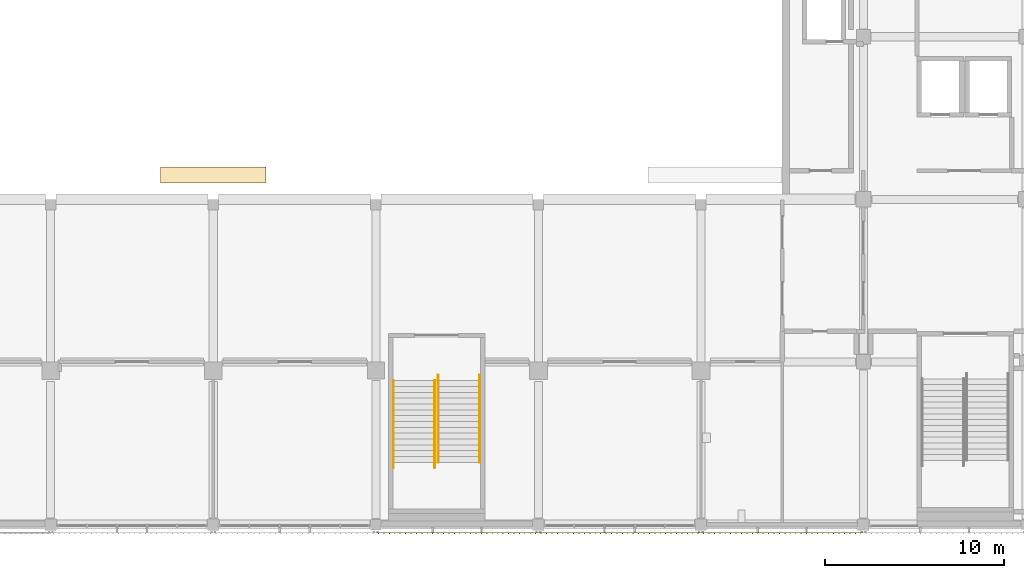
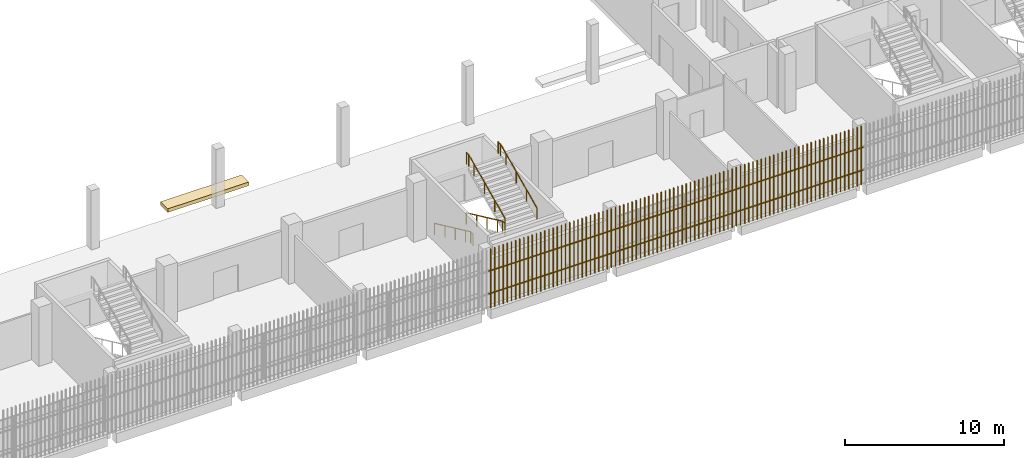
# One storey, part 111 of 126: 4 railings, 3 shading devices, 1 covering.
"""IFC4 building model written with IfcOpenShell, lengths in metres."""

from ifc_helpers import new_model, si_unit, direction, frame, origin, origin_2d, place, context, subcontext, project, spatial, polyline, rectangle, circle, outline, extrude, material, layer, layer_set, type_object, element, save


model = new_model("IFC4")

# Units and contexts
model_context = context("Model", 3, precision=1e-05, world=origin(), true_north=direction((0.0, 1.0)))
body_context = subcontext(model_context, "Body", "Model", "MODEL_VIEW")
ifc_project = project(units=[si_unit("LENGTHUNIT", "METRE"), si_unit("AREAUNIT", "SQUARE_METRE"), si_unit("VOLUMEUNIT", "CUBIC_METRE"), si_unit("PLANEANGLEUNIT", "RADIAN"), si_unit("MASSUNIT", "GRAM", prefix="KILO")], contexts=[model_context])

# Site, building, storey
site_placement = place(None, origin())
site = spatial("IfcSite", under=ifc_project, at=site_placement, CompositionType="ELEMENT")
building_placement = place(site_placement, origin())
building = spatial("IfcBuilding", under=site, at=building_placement, Name="Shirokan Park Arena", CompositionType="ELEMENT")
storey_placement = place(building_placement, frame((0.0, 0.0, 6.3701171875)))
storey = spatial("IfcBuildingStorey", under=building, at=storey_placement, Name="L01", CompositionType="ELEMENT", Elevation=6.3701171875)

# Covering
ifc_material_1 = material(Name="Concrete screed on the tier", Category="concrete")
ifc_layer = layer(ifc_material_1, 0.280029296875)
ifc_layer_set = layer_set([ifc_layer], Name="Concrete screed on the tier 280 mm")
covering_type = type_object("IfcCoveringType", Name="Platform floor infill 280", PredefinedType="FLOORING", material=ifc_layer_set)
covering_placement = place(storey_placement, frame((0.0, 0.0, -0.280029296875)))
element("IfcCovering", 1, at=covering_placement, inside=storey, type_object=covering_type, Name="Wheelchair Platform Floor S2 Lower Tier", PredefinedType="FLOORING", context=body_context, shape_type="SweptSolid", body=[
    extrude(outline(polyline([(75.75, 19.110107421875), (75.75, 20.02001953125), (69.85009765625, 20.02001953125), (69.85009765625, 19.110107421875), (75.75, 19.110107421875)])), origin(), (0.0, 0.0, 1.0), 0.280029296875),
])

# Railings
ifc_material_2 = material(Name="Stainless steel", Category="steel")
railing_type = type_object("IfcRailingType", Name="Stair handrail 900", PredefinedType="HANDRAIL", material=ifc_material_2)
railing_1_placement = place(storey_placement, frame((82.889892578125, 8.050048828125, 0.151611328125)))
element("IfcRailing", 2, at=railing_1_placement, inside=storey, type_object=railing_type, Name="Handrail Entrance Stair E1.2 L01 to L02", PredefinedType="HANDRAIL", context=body_context, shape_type="SweptSolid", body=[
    extrude(circle(Radius=0.02392578125, at=origin_2d()), frame((0.0, 0.0, 0.8759765625), z_axis=(0.0, -0.907029769225, 0.421066500378), x_axis=(1.0, 0.0, 0.0)), (0.0, 0.0, 1.0), 1.44091796875),
    extrude(circle(Radius=0.02392578125, at=origin_2d()), frame((0.0, -1.306884765625, 1.482421875), z_axis=(0.0, -0.907029769225, 0.421066500378), x_axis=(1.0, 0.0, 0.0)), (0.0, 0.0, 1.0), 1.44091796875),
    extrude(circle(Radius=0.02392578125, at=origin_2d()), frame((0.0, -2.61376953125, 2.08935546875), z_axis=(0.0, -0.907064445915, 0.420991794405), x_axis=(1.0, 0.0, 0.0)), (0.0, 0.0, 1.0), 1.4404296875),
    extrude(circle(Radius=0.02392578125, at=origin_2d()), frame((0.0, -3.92041015625, 2.69580078125), z_axis=(0.0, -0.906934982928, 0.421270621741), x_axis=(1.0, 0.0, 0.0)), (0.0, 0.0, 1.0), 0.720458984375),
    extrude(circle(Radius=0.02392578125, at=origin_2d()), frame((0.0, -4.57373046875, 2.9990234375), z_axis=(0.0, -1.0, 0.0), x_axis=(1.0, 0.0, 0.0)), (0.0, 0.0, 1.0), 0.300048828125),
    extrude(circle(Radius=0.02099609375, at=origin_2d()), origin(), (0.0, 0.0, 1.0), 0.851806640625),
    extrude(circle(Radius=0.02099609375, at=origin_2d()), frame((0.0, -1.306884765625, 0.606689453125)), (0.0, 0.0, 1.0), 0.851806640625),
    extrude(circle(Radius=0.02099609375, at=origin_2d()), frame((0.0, -2.61376953125, 1.21337890625)), (0.0, 0.0, 1.0), 0.851806640625),
    extrude(circle(Radius=0.02099609375, at=origin_2d()), frame((0.0, -3.92041015625, 1.81982421875)), (0.0, 0.0, 1.0), 0.851806640625),
    extrude(circle(Radius=0.02099609375, at=origin_2d()), frame((0.0, -4.57373046875, 2.123291015625)), (0.0, 0.0, 1.0), 0.851806640625),
    extrude(circle(Radius=0.02099609375, at=origin_2d()), frame((0.0, -4.873779296875, 2.123291015625)), (0.0, 0.0, 1.0), 0.851806640625),
])
railing_2_placement = place(storey_placement, frame((85.2099609375, 8.050048828125, 0.151611328125)))
element("IfcRailing", 3, at=railing_2_placement, inside=storey, type_object=railing_type, Name="Handrail Entrance Stair E1.2 L01 to L02", PredefinedType="HANDRAIL", context=body_context, shape_type="SweptSolid", body=[
    extrude(circle(Radius=0.02392578125, at=origin_2d()), frame((0.0, 0.0, 0.8759765625), z_axis=(0.0, -0.907029769225, 0.421066500378), x_axis=(1.0, 0.0, 0.0)), (0.0, 0.0, 1.0), 1.44091796875),
    extrude(circle(Radius=0.02392578125, at=origin_2d()), frame((0.0, -1.306884765625, 1.482421875), z_axis=(0.0, -0.907029769225, 0.421066500378), x_axis=(1.0, 0.0, 0.0)), (0.0, 0.0, 1.0), 1.44091796875),
    extrude(circle(Radius=0.02392578125, at=origin_2d()), frame((0.0, -2.61376953125, 2.08935546875), z_axis=(0.0, -0.907064445915, 0.420991794405), x_axis=(1.0, 0.0, 0.0)), (0.0, 0.0, 1.0), 1.4404296875),
    extrude(circle(Radius=0.02392578125, at=origin_2d()), frame((0.0, -3.92041015625, 2.69580078125), z_axis=(0.0, -0.906934982928, 0.421270621741), x_axis=(1.0, 0.0, 0.0)), (0.0, 0.0, 1.0), 0.720458984375),
    extrude(circle(Radius=0.02392578125, at=origin_2d()), frame((0.0, -4.57373046875, 2.9990234375), z_axis=(0.0, -1.0, 0.0), x_axis=(1.0, 0.0, 0.0)), (0.0, 0.0, 1.0), 0.300048828125),
    extrude(circle(Radius=0.02099609375, at=origin_2d()), origin(), (0.0, 0.0, 1.0), 0.851806640625),
    extrude(circle(Radius=0.02099609375, at=origin_2d()), frame((0.0, -1.306884765625, 0.606689453125)), (0.0, 0.0, 1.0), 0.851806640625),
    extrude(circle(Radius=0.02099609375, at=origin_2d()), frame((0.0, -2.61376953125, 1.21337890625)), (0.0, 0.0, 1.0), 0.851806640625),
    extrude(circle(Radius=0.02099609375, at=origin_2d()), frame((0.0, -3.92041015625, 1.81982421875)), (0.0, 0.0, 1.0), 0.851806640625),
    extrude(circle(Radius=0.02099609375, at=origin_2d()), frame((0.0, -4.57373046875, 2.123291015625)), (0.0, 0.0, 1.0), 0.851806640625),
    extrude(circle(Radius=0.02099609375, at=origin_2d()), frame((0.0, -4.873779296875, 2.123291015625)), (0.0, 0.0, 1.0), 0.851806640625),
])
railing_3_placement = place(storey_placement, frame((85.389892578125, 3.476318359375, 2.426513671875)))
element("IfcRailing", 4, at=railing_3_placement, inside=storey, type_object=railing_type, Name="Handrail Entrance Stair E1.2 L01 to L02", PredefinedType="HANDRAIL", context=body_context, shape_type="SweptSolid", body=[
    extrude(circle(Radius=0.02392578125, at=origin_2d()), frame((0.0, 0.0, 0.8759765625), z_axis=(0.0, 0.906999720516, 0.421131222998), x_axis=(-1.0, 0.0, 0.0)), (0.0, 0.0, 1.0), 1.440673828125),
    extrude(circle(Radius=0.02392578125, at=origin_2d()), frame((0.0, 1.306640625, 1.482421875), z_axis=(0.0, 0.907029769225, 0.421066500378), x_axis=(-1.0, 0.0, 0.0)), (0.0, 0.0, 1.0), 1.44091796875),
    extrude(circle(Radius=0.02392578125, at=origin_2d()), frame((0.0, 2.613525390625, 2.08935546875), z_axis=(0.0, 0.906999720516, 0.421131222998), x_axis=(-1.0, 0.0, 0.0)), (0.0, 0.0, 1.0), 1.440673828125),
    extrude(circle(Radius=0.02392578125, at=origin_2d()), frame((0.0, 3.920166015625, 2.69580078125), z_axis=(0.0, 0.907124493983, 0.420862391306), x_axis=(-1.0, 0.0, 0.0)), (0.0, 0.0, 1.0), 0.720458984375),
    extrude(circle(Radius=0.02392578125, at=origin_2d()), frame((0.0, 4.57373046875, 2.9990234375), z_axis=(0.0, 1.0, 0.0), x_axis=(-1.0, 0.0, 0.0)), (0.0, 0.0, 1.0), 0.300048828125),
    extrude(circle(Radius=0.02099609375, at=origin_2d()), origin(), (0.0, 0.0, 1.0), 0.851806640625),
    extrude(circle(Radius=0.02099609375, at=origin_2d()), frame((0.0, 1.306640625, 0.606689453125)), (0.0, 0.0, 1.0), 0.851806640625),
    extrude(circle(Radius=0.02099609375, at=origin_2d()), frame((0.0, 2.613525390625, 1.21337890625)), (0.0, 0.0, 1.0), 0.851806640625),
    extrude(circle(Radius=0.02099609375, at=origin_2d()), frame((0.0, 3.920166015625, 1.820068359375)), (0.0, 0.0, 1.0), 0.851806640625),
    extrude(circle(Radius=0.02099609375, at=origin_2d()), frame((0.0, 4.57373046875, 2.123291015625)), (0.0, 0.0, 1.0), 0.851806640625),
    extrude(circle(Radius=0.02099609375, at=origin_2d()), frame((0.0, 4.873779296875, 2.123291015625)), (0.0, 0.0, 1.0), 0.851806640625),
])
railing_4_placement = place(storey_placement, frame((87.7099609375, 3.476318359375, 2.426513671875)))
element("IfcRailing", 5, at=railing_4_placement, inside=storey, type_object=railing_type, Name="Handrail Entrance Stair E1.2 L01 to L02", PredefinedType="HANDRAIL", context=body_context, shape_type="SweptSolid", body=[
    extrude(circle(Radius=0.02392578125, at=origin_2d()), frame((0.0, 0.0, 0.8759765625), z_axis=(0.0, 0.906999720516, 0.421131222998), x_axis=(-1.0, 0.0, 0.0)), (0.0, 0.0, 1.0), 1.440673828125),
    extrude(circle(Radius=0.02392578125, at=origin_2d()), frame((0.0, 1.306640625, 1.482421875), z_axis=(0.0, 0.907029769225, 0.421066500378), x_axis=(-1.0, 0.0, 0.0)), (0.0, 0.0, 1.0), 1.44091796875),
    extrude(circle(Radius=0.02392578125, at=origin_2d()), frame((0.0, 2.613525390625, 2.08935546875), z_axis=(0.0, 0.906999720516, 0.421131222998), x_axis=(-1.0, 0.0, 0.0)), (0.0, 0.0, 1.0), 1.440673828125),
    extrude(circle(Radius=0.02392578125, at=origin_2d()), frame((0.0, 3.920166015625, 2.69580078125), z_axis=(0.0, 0.907124493983, 0.420862391306), x_axis=(-1.0, 0.0, 0.0)), (0.0, 0.0, 1.0), 0.720458984375),
    extrude(circle(Radius=0.02392578125, at=origin_2d()), frame((0.0, 4.57373046875, 2.9990234375), z_axis=(0.0, 1.0, 0.0), x_axis=(-1.0, 0.0, 0.0)), (0.0, 0.0, 1.0), 0.300048828125),
    extrude(circle(Radius=0.02099609375, at=origin_2d()), origin(), (0.0, 0.0, 1.0), 0.851806640625),
    extrude(circle(Radius=0.02099609375, at=origin_2d()), frame((0.0, 1.306640625, 0.606689453125)), (0.0, 0.0, 1.0), 0.851806640625),
    extrude(circle(Radius=0.02099609375, at=origin_2d()), frame((0.0, 2.613525390625, 1.21337890625)), (0.0, 0.0, 1.0), 0.851806640625),
    extrude(circle(Radius=0.02099609375, at=origin_2d()), frame((0.0, 3.920166015625, 1.820068359375)), (0.0, 0.0, 1.0), 0.851806640625),
    extrude(circle(Radius=0.02099609375, at=origin_2d()), frame((0.0, 4.57373046875, 2.123291015625)), (0.0, 0.0, 1.0), 0.851806640625),
    extrude(circle(Radius=0.02099609375, at=origin_2d()), frame((0.0, 4.873779296875, 2.123291015625)), (0.0, 0.0, 1.0), 0.851806640625),
])

# Shading devices
ifc_material_3 = material(Name="Timber louvre veil (cedar)", Category="wood")
shading_device_type = type_object("IfcShadingDeviceType", Name="Timber louvre veil panel", PredefinedType="JALOUSIE", material=ifc_material_3)
shading_device_1_placement = place(storey_placement, origin())
element("IfcShadingDevice", 6, at=shading_device_1_placement, inside=storey, type_object=shading_device_type, Name="Timber louvre veil south bay 10 L01", PredefinedType="JALOUSIE", context=body_context, shape_type="SweptSolid", body=[
    extrude(rectangle(XDim=0.050048828125, YDim=0.080078125, at=origin_2d()), frame((82.0517578125, -0.485107421875, 0.0), z_axis=(0.0, 0.0, 1.0), x_axis=(1.0, 0.0, 0.0)), (0.0, 0.0, 1.0), 4.550048828125),
    extrude(rectangle(XDim=0.050048828125, YDim=0.080078125, at=origin_2d()), frame((82.35498046875, -0.485107421875, 0.0), z_axis=(0.0, 0.0, 1.0), x_axis=(1.0, 0.0, 0.0)), (0.0, 0.0, 1.0), 4.550048828125),
    extrude(rectangle(XDim=0.050048828125, YDim=0.080078125, at=origin_2d()), frame((82.658447265625, -0.485107421875, 0.0), z_axis=(0.0, 0.0, 1.0), x_axis=(1.0, 0.0, 0.0)), (0.0, 0.0, 1.0), 4.550048828125),
    extrude(rectangle(XDim=0.050048828125, YDim=0.080078125, at=origin_2d()), frame((82.961669921875, -0.485107421875, 0.0), z_axis=(0.0, 0.0, 1.0), x_axis=(1.0, 0.0, 0.0)), (0.0, 0.0, 1.0), 4.550048828125),
    extrude(rectangle(XDim=0.050048828125, YDim=0.080078125, at=origin_2d()), frame((83.264892578125, -0.485107421875, 0.0), z_axis=(0.0, 0.0, 1.0), x_axis=(1.0, 0.0, 0.0)), (0.0, 0.0, 1.0), 4.550048828125),
    extrude(rectangle(XDim=0.050048828125, YDim=0.080078125, at=origin_2d()), frame((83.568359375, -0.485107421875, 0.0), z_axis=(0.0, 0.0, 1.0), x_axis=(1.0, 0.0, 0.0)), (0.0, 0.0, 1.0), 4.550048828125),
    extrude(rectangle(XDim=0.050048828125, YDim=0.080078125, at=origin_2d()), frame((83.87158203125, -0.485107421875, 0.0), z_axis=(0.0, 0.0, 1.0), x_axis=(1.0, 0.0, 0.0)), (0.0, 0.0, 1.0), 4.550048828125),
    extrude(rectangle(XDim=0.050048828125, YDim=0.080078125, at=origin_2d()), frame((84.175048828125, -0.485107421875, 0.0), z_axis=(0.0, 0.0, 1.0), x_axis=(1.0, 0.0, 0.0)), (0.0, 0.0, 1.0), 4.550048828125),
    extrude(rectangle(XDim=0.050048828125, YDim=0.080078125, at=origin_2d()), frame((84.478271484375, -0.485107421875, 0.0), z_axis=(0.0, 0.0, 1.0), x_axis=(1.0, 0.0, 0.0)), (0.0, 0.0, 1.0), 4.550048828125),
    extrude(rectangle(XDim=0.050048828125, YDim=0.080078125, at=origin_2d()), frame((84.78173828125, -0.485107421875, 0.0), z_axis=(0.0, 0.0, 1.0), x_axis=(1.0, 0.0, 0.0)), (0.0, 0.0, 1.0), 4.550048828125),
    extrude(rectangle(XDim=0.050048828125, YDim=0.080078125, at=origin_2d()), frame((85.0849609375, -0.485107421875, 0.0), z_axis=(0.0, 0.0, 1.0), x_axis=(1.0, 0.0, 0.0)), (0.0, 0.0, 1.0), 4.550048828125),
    extrude(rectangle(XDim=0.050048828125, YDim=0.080078125, at=origin_2d()), frame((85.388427734375, -0.485107421875, 0.0), z_axis=(0.0, 0.0, 1.0), x_axis=(1.0, 0.0, 0.0)), (0.0, 0.0, 1.0), 4.550048828125),
    extrude(rectangle(XDim=0.050048828125, YDim=0.080078125, at=origin_2d()), frame((85.691650390625, -0.485107421875, 0.0), z_axis=(0.0, 0.0, 1.0), x_axis=(1.0, 0.0, 0.0)), (0.0, 0.0, 1.0), 4.550048828125),
    extrude(rectangle(XDim=0.050048828125, YDim=0.080078125, at=origin_2d()), frame((85.9951171875, -0.485107421875, 0.0), z_axis=(0.0, 0.0, 1.0), x_axis=(1.0, 0.0, 0.0)), (0.0, 0.0, 1.0), 4.550048828125),
    extrude(rectangle(XDim=0.050048828125, YDim=0.080078125, at=origin_2d()), frame((86.29833984375, -0.485107421875, 0.0), z_axis=(0.0, 0.0, 1.0), x_axis=(1.0, 0.0, 0.0)), (0.0, 0.0, 1.0), 4.550048828125),
    extrude(rectangle(XDim=0.050048828125, YDim=0.080078125, at=origin_2d()), frame((86.6015625, -0.485107421875, 0.0), z_axis=(0.0, 0.0, 1.0), x_axis=(1.0, 0.0, 0.0)), (0.0, 0.0, 1.0), 4.550048828125),
    extrude(rectangle(XDim=0.050048828125, YDim=0.080078125, at=origin_2d()), frame((86.905029296875, -0.485107421875, 0.0), z_axis=(0.0, 0.0, 1.0), x_axis=(1.0, 0.0, 0.0)), (0.0, 0.0, 1.0), 4.550048828125),
    extrude(rectangle(XDim=0.050048828125, YDim=0.080078125, at=origin_2d()), frame((87.208251953125, -0.485107421875, 0.0), z_axis=(0.0, 0.0, 1.0), x_axis=(1.0, 0.0, 0.0)), (0.0, 0.0, 1.0), 4.550048828125),
    extrude(rectangle(XDim=0.050048828125, YDim=0.080078125, at=origin_2d()), frame((87.51171875, -0.485107421875, 0.0), z_axis=(0.0, 0.0, 1.0), x_axis=(1.0, 0.0, 0.0)), (0.0, 0.0, 1.0), 4.550048828125),
    extrude(rectangle(XDim=0.050048828125, YDim=0.080078125, at=origin_2d()), frame((87.81494140625, -0.485107421875, 0.0), z_axis=(0.0, 0.0, 1.0), x_axis=(1.0, 0.0, 0.0)), (0.0, 0.0, 1.0), 4.550048828125),
    extrude(rectangle(XDim=0.050048828125, YDim=0.080078125, at=origin_2d()), frame((88.118408203125, -0.485107421875, 0.0), z_axis=(0.0, 0.0, 1.0), x_axis=(1.0, 0.0, 0.0)), (0.0, 0.0, 1.0), 4.550048828125),
    extrude(rectangle(XDim=0.050048828125, YDim=0.080078125, at=origin_2d()), frame((88.421630859375, -0.485107421875, 0.0), z_axis=(0.0, 0.0, 1.0), x_axis=(1.0, 0.0, 0.0)), (0.0, 0.0, 1.0), 4.550048828125),
    extrude(rectangle(XDim=0.050048828125, YDim=0.080078125, at=origin_2d()), frame((88.72509765625, -0.485107421875, 0.0), z_axis=(0.0, 0.0, 1.0), x_axis=(1.0, 0.0, 0.0)), (0.0, 0.0, 1.0), 4.550048828125),
    extrude(rectangle(XDim=0.050048828125, YDim=0.080078125, at=origin_2d()), frame((89.0283203125, -0.485107421875, 0.0), z_axis=(0.0, 0.0, 1.0), x_axis=(1.0, 0.0, 0.0)), (0.0, 0.0, 1.0), 4.550048828125),
    extrude(rectangle(XDim=0.050048828125, YDim=0.080078125, at=origin_2d()), frame((89.331787109375, -0.485107421875, 0.0), z_axis=(0.0, 0.0, 1.0), x_axis=(1.0, 0.0, 0.0)), (0.0, 0.0, 1.0), 4.550048828125),
    extrude(rectangle(XDim=0.050048828125, YDim=0.080078125, at=origin_2d()), frame((89.635009765625, -0.485107421875, 0.0), z_axis=(0.0, 0.0, 1.0), x_axis=(1.0, 0.0, 0.0)), (0.0, 0.0, 1.0), 4.550048828125),
    extrude(rectangle(XDim=0.050048828125, YDim=0.080078125, at=origin_2d()), frame((89.938232421875, -0.485107421875, 0.0), z_axis=(0.0, 0.0, 1.0), x_axis=(1.0, 0.0, 0.0)), (0.0, 0.0, 1.0), 4.550048828125),
    extrude(rectangle(XDim=0.050048828125, YDim=0.080078125, at=origin_2d()), frame((90.24169921875, -0.485107421875, 0.0), z_axis=(0.0, 0.0, 1.0), x_axis=(1.0, 0.0, 0.0)), (0.0, 0.0, 1.0), 4.550048828125),
    extrude(rectangle(XDim=0.050048828125, YDim=0.080078125, at=origin_2d()), frame((90.544921875, -0.485107421875, 0.0), z_axis=(0.0, 0.0, 1.0), x_axis=(1.0, 0.0, 0.0)), (0.0, 0.0, 1.0), 4.550048828125),
    extrude(rectangle(XDim=0.050048828125, YDim=0.080078125, at=origin_2d()), frame((90.848388671875, -0.485107421875, 0.0), z_axis=(0.0, 0.0, 1.0), x_axis=(1.0, 0.0, 0.0)), (0.0, 0.0, 1.0), 4.550048828125),
    extrude(rectangle(XDim=9.10009765625, YDim=0.050048828125, at=origin_2d()), frame((86.449951171875, -0.469970703125, 1.059814453125), z_axis=(0.0, 0.0, 1.0), x_axis=(1.0, 0.0, 0.0)), (0.0, 0.0, 1.0), 0.080078125),
    extrude(rectangle(XDim=9.10009765625, YDim=0.050048828125, at=origin_2d()), frame((86.449951171875, -0.469970703125, 2.809814453125), z_axis=(0.0, 0.0, 1.0), x_axis=(1.0, 0.0, 0.0)), (0.0, 0.0, 1.0), 0.080078125),
])
shading_device_2_placement = place(storey_placement, origin())
element("IfcShadingDevice", 7, at=shading_device_2_placement, inside=storey, type_object=shading_device_type, Name="Timber louvre veil south bay 11 L01", PredefinedType="JALOUSIE", context=body_context, shape_type="SweptSolid", body=[
    extrude(rectangle(XDim=0.050048828125, YDim=0.080078125, at=origin_2d()), frame((91.151611328125, -0.485107421875, 0.0), z_axis=(0.0, 0.0, 1.0), x_axis=(1.0, 0.0, 0.0)), (0.0, 0.0, 1.0), 4.550048828125),
    extrude(rectangle(XDim=0.050048828125, YDim=0.080078125, at=origin_2d()), frame((91.455078125, -0.485107421875, 0.0), z_axis=(0.0, 0.0, 1.0), x_axis=(1.0, 0.0, 0.0)), (0.0, 0.0, 1.0), 4.550048828125),
    extrude(rectangle(XDim=0.050048828125, YDim=0.080078125, at=origin_2d()), frame((91.75830078125, -0.485107421875, 0.0), z_axis=(0.0, 0.0, 1.0), x_axis=(1.0, 0.0, 0.0)), (0.0, 0.0, 1.0), 4.550048828125),
    extrude(rectangle(XDim=0.050048828125, YDim=0.080078125, at=origin_2d()), frame((92.061767578125, -0.485107421875, 0.0), z_axis=(0.0, 0.0, 1.0), x_axis=(1.0, 0.0, 0.0)), (0.0, 0.0, 1.0), 4.550048828125),
    extrude(rectangle(XDim=0.050048828125, YDim=0.080078125, at=origin_2d()), frame((92.364990234375, -0.485107421875, 0.0), z_axis=(0.0, 0.0, 1.0), x_axis=(1.0, 0.0, 0.0)), (0.0, 0.0, 1.0), 4.550048828125),
    extrude(rectangle(XDim=0.050048828125, YDim=0.080078125, at=origin_2d()), frame((92.668212890625, -0.485107421875, 0.0), z_axis=(0.0, 0.0, 1.0), x_axis=(1.0, 0.0, 0.0)), (0.0, 0.0, 1.0), 4.550048828125),
    extrude(rectangle(XDim=0.050048828125, YDim=0.080078125, at=origin_2d()), frame((92.9716796875, -0.485107421875, 0.0), z_axis=(0.0, 0.0, 1.0), x_axis=(1.0, 0.0, 0.0)), (0.0, 0.0, 1.0), 4.550048828125),
    extrude(rectangle(XDim=0.050048828125, YDim=0.080078125, at=origin_2d()), frame((93.27490234375, -0.485107421875, 0.0), z_axis=(0.0, 0.0, 1.0), x_axis=(1.0, 0.0, 0.0)), (0.0, 0.0, 1.0), 4.550048828125),
    extrude(rectangle(XDim=0.050048828125, YDim=0.080078125, at=origin_2d()), frame((93.578369140625, -0.485107421875, 0.0), z_axis=(0.0, 0.0, 1.0), x_axis=(1.0, 0.0, 0.0)), (0.0, 0.0, 1.0), 4.550048828125),
    extrude(rectangle(XDim=0.050048828125, YDim=0.080078125, at=origin_2d()), frame((93.881591796875, -0.485107421875, 0.0), z_axis=(0.0, 0.0, 1.0), x_axis=(1.0, 0.0, 0.0)), (0.0, 0.0, 1.0), 4.550048828125),
    extrude(rectangle(XDim=0.050048828125, YDim=0.080078125, at=origin_2d()), frame((94.18505859375, -0.485107421875, 0.0), z_axis=(0.0, 0.0, 1.0), x_axis=(1.0, 0.0, 0.0)), (0.0, 0.0, 1.0), 4.550048828125),
    extrude(rectangle(XDim=0.050048828125, YDim=0.080078125, at=origin_2d()), frame((94.48828125, -0.485107421875, 0.0), z_axis=(0.0, 0.0, 1.0), x_axis=(1.0, 0.0, 0.0)), (0.0, 0.0, 1.0), 4.550048828125),
    extrude(rectangle(XDim=0.050048828125, YDim=0.080078125, at=origin_2d()), frame((94.791748046875, -0.485107421875, 0.0), z_axis=(0.0, 0.0, 1.0), x_axis=(1.0, 0.0, 0.0)), (0.0, 0.0, 1.0), 4.550048828125),
    extrude(rectangle(XDim=0.050048828125, YDim=0.080078125, at=origin_2d()), frame((95.094970703125, -0.485107421875, 0.0), z_axis=(0.0, 0.0, 1.0), x_axis=(1.0, 0.0, 0.0)), (0.0, 0.0, 1.0), 4.550048828125),
    extrude(rectangle(XDim=0.050048828125, YDim=0.080078125, at=origin_2d()), frame((95.3984375, -0.485107421875, 0.0), z_axis=(0.0, 0.0, 1.0), x_axis=(1.0, 0.0, 0.0)), (0.0, 0.0, 1.0), 4.550048828125),
    extrude(rectangle(XDim=0.050048828125, YDim=0.080078125, at=origin_2d()), frame((95.70166015625, -0.485107421875, 0.0), z_axis=(0.0, 0.0, 1.0), x_axis=(1.0, 0.0, 0.0)), (0.0, 0.0, 1.0), 4.550048828125),
    extrude(rectangle(XDim=0.050048828125, YDim=0.080078125, at=origin_2d()), frame((96.0048828125, -0.485107421875, 0.0), z_axis=(0.0, 0.0, 1.0), x_axis=(1.0, 0.0, 0.0)), (0.0, 0.0, 1.0), 4.550048828125),
    extrude(rectangle(XDim=0.050048828125, YDim=0.080078125, at=origin_2d()), frame((96.308349609375, -0.485107421875, 0.0), z_axis=(0.0, 0.0, 1.0), x_axis=(1.0, 0.0, 0.0)), (0.0, 0.0, 1.0), 4.550048828125),
    extrude(rectangle(XDim=0.050048828125, YDim=0.080078125, at=origin_2d()), frame((96.611572265625, -0.485107421875, 0.0), z_axis=(0.0, 0.0, 1.0), x_axis=(1.0, 0.0, 0.0)), (0.0, 0.0, 1.0), 4.550048828125),
    extrude(rectangle(XDim=0.050048828125, YDim=0.080078125, at=origin_2d()), frame((96.9150390625, -0.485107421875, 0.0), z_axis=(0.0, 0.0, 1.0), x_axis=(1.0, 0.0, 0.0)), (0.0, 0.0, 1.0), 4.550048828125),
    extrude(rectangle(XDim=0.050048828125, YDim=0.080078125, at=origin_2d()), frame((97.21826171875, -0.485107421875, 0.0), z_axis=(0.0, 0.0, 1.0), x_axis=(1.0, 0.0, 0.0)), (0.0, 0.0, 1.0), 4.550048828125),
    extrude(rectangle(XDim=0.050048828125, YDim=0.080078125, at=origin_2d()), frame((97.521728515625, -0.485107421875, 0.0), z_axis=(0.0, 0.0, 1.0), x_axis=(1.0, 0.0, 0.0)), (0.0, 0.0, 1.0), 4.550048828125),
    extrude(rectangle(XDim=0.050048828125, YDim=0.080078125, at=origin_2d()), frame((97.824951171875, -0.485107421875, 0.0), z_axis=(0.0, 0.0, 1.0), x_axis=(1.0, 0.0, 0.0)), (0.0, 0.0, 1.0), 4.550048828125),
    extrude(rectangle(XDim=0.050048828125, YDim=0.080078125, at=origin_2d()), frame((98.12841796875, -0.485107421875, 0.0), z_axis=(0.0, 0.0, 1.0), x_axis=(1.0, 0.0, 0.0)), (0.0, 0.0, 1.0), 4.550048828125),
    extrude(rectangle(XDim=0.050048828125, YDim=0.080078125, at=origin_2d()), frame((98.431640625, -0.485107421875, 0.0), z_axis=(0.0, 0.0, 1.0), x_axis=(1.0, 0.0, 0.0)), (0.0, 0.0, 1.0), 4.550048828125),
    extrude(rectangle(XDim=0.050048828125, YDim=0.080078125, at=origin_2d()), frame((98.735107421875, -0.485107421875, 0.0), z_axis=(0.0, 0.0, 1.0), x_axis=(1.0, 0.0, 0.0)), (0.0, 0.0, 1.0), 4.550048828125),
    extrude(rectangle(XDim=0.050048828125, YDim=0.080078125, at=origin_2d()), frame((99.038330078125, -0.485107421875, 0.0), z_axis=(0.0, 0.0, 1.0), x_axis=(1.0, 0.0, 0.0)), (0.0, 0.0, 1.0), 4.550048828125),
    extrude(rectangle(XDim=0.050048828125, YDim=0.080078125, at=origin_2d()), frame((99.341552734375, -0.485107421875, 0.0), z_axis=(0.0, 0.0, 1.0), x_axis=(1.0, 0.0, 0.0)), (0.0, 0.0, 1.0), 4.550048828125),
    extrude(rectangle(XDim=0.050048828125, YDim=0.080078125, at=origin_2d()), frame((99.64501953125, -0.485107421875, 0.0), z_axis=(0.0, 0.0, 1.0), x_axis=(1.0, 0.0, 0.0)), (0.0, 0.0, 1.0), 4.550048828125),
    extrude(rectangle(XDim=0.050048828125, YDim=0.080078125, at=origin_2d()), frame((99.9482421875, -0.485107421875, 0.0), z_axis=(0.0, 0.0, 1.0), x_axis=(1.0, 0.0, 0.0)), (0.0, 0.0, 1.0), 4.550048828125),
    extrude(rectangle(XDim=9.10009765625, YDim=0.050048828125, at=origin_2d()), frame((95.550048828125, -0.469970703125, 1.059814453125), z_axis=(0.0, 0.0, 1.0), x_axis=(1.0, 0.0, 0.0)), (0.0, 0.0, 1.0), 0.080078125),
    extrude(rectangle(XDim=9.10009765625, YDim=0.050048828125, at=origin_2d()), frame((95.550048828125, -0.469970703125, 2.809814453125), z_axis=(0.0, 0.0, 1.0), x_axis=(1.0, 0.0, 0.0)), (0.0, 0.0, 1.0), 0.080078125),
])
shading_device_3_placement = place(storey_placement, origin())
element("IfcShadingDevice", 8, at=shading_device_3_placement, inside=storey, type_object=shading_device_type, Name="Timber louvre veil south bay 12 L01", PredefinedType="JALOUSIE", context=body_context, shape_type="SweptSolid", body=[
    extrude(rectangle(XDim=0.050048828125, YDim=0.080078125, at=origin_2d()), frame((100.251708984375, -0.485107421875, 0.0), z_axis=(0.0, 0.0, 1.0), x_axis=(1.0, 0.0, 0.0)), (0.0, 0.0, 1.0), 4.550048828125),
    extrude(rectangle(XDim=0.050048828125, YDim=0.080078125, at=origin_2d()), frame((100.554931640625, -0.485107421875, 0.0), z_axis=(0.0, 0.0, 1.0), x_axis=(1.0, 0.0, 0.0)), (0.0, 0.0, 1.0), 4.550048828125),
    extrude(rectangle(XDim=0.050048828125, YDim=0.080078125, at=origin_2d()), frame((100.8583984375, -0.485107421875, 0.0), z_axis=(0.0, 0.0, 1.0), x_axis=(1.0, 0.0, 0.0)), (0.0, 0.0, 1.0), 4.550048828125),
    extrude(rectangle(XDim=0.050048828125, YDim=0.080078125, at=origin_2d()), frame((101.16162109375, -0.485107421875, 0.0), z_axis=(0.0, 0.0, 1.0), x_axis=(1.0, 0.0, 0.0)), (0.0, 0.0, 1.0), 4.550048828125),
    extrude(rectangle(XDim=0.050048828125, YDim=0.080078125, at=origin_2d()), frame((101.465087890625, -0.485107421875, 0.0), z_axis=(0.0, 0.0, 1.0), x_axis=(1.0, 0.0, 0.0)), (0.0, 0.0, 1.0), 4.550048828125),
    extrude(rectangle(XDim=0.050048828125, YDim=0.080078125, at=origin_2d()), frame((101.768310546875, -0.485107421875, 0.0), z_axis=(0.0, 0.0, 1.0), x_axis=(1.0, 0.0, 0.0)), (0.0, 0.0, 1.0), 4.550048828125),
    extrude(rectangle(XDim=0.050048828125, YDim=0.080078125, at=origin_2d()), frame((102.07177734375, -0.485107421875, 0.0), z_axis=(0.0, 0.0, 1.0), x_axis=(1.0, 0.0, 0.0)), (0.0, 0.0, 1.0), 4.550048828125),
    extrude(rectangle(XDim=0.050048828125, YDim=0.080078125, at=origin_2d()), frame((102.375, -0.485107421875, 0.0), z_axis=(0.0, 0.0, 1.0), x_axis=(1.0, 0.0, 0.0)), (0.0, 0.0, 1.0), 4.550048828125),
    extrude(rectangle(XDim=0.050048828125, YDim=0.080078125, at=origin_2d()), frame((102.67822265625, -0.485107421875, 0.0), z_axis=(0.0, 0.0, 1.0), x_axis=(1.0, 0.0, 0.0)), (0.0, 0.0, 1.0), 4.550048828125),
    extrude(rectangle(XDim=0.050048828125, YDim=0.080078125, at=origin_2d()), frame((102.981689453125, -0.485107421875, 0.0), z_axis=(0.0, 0.0, 1.0), x_axis=(1.0, 0.0, 0.0)), (0.0, 0.0, 1.0), 4.550048828125),
    extrude(rectangle(XDim=0.050048828125, YDim=0.080078125, at=origin_2d()), frame((103.284912109375, -0.485107421875, 0.0), z_axis=(0.0, 0.0, 1.0), x_axis=(1.0, 0.0, 0.0)), (0.0, 0.0, 1.0), 4.550048828125),
    extrude(rectangle(XDim=0.050048828125, YDim=0.080078125, at=origin_2d()), frame((103.58837890625, -0.485107421875, 0.0), z_axis=(0.0, 0.0, 1.0), x_axis=(1.0, 0.0, 0.0)), (0.0, 0.0, 1.0), 4.550048828125),
    extrude(rectangle(XDim=0.050048828125, YDim=0.080078125, at=origin_2d()), frame((103.8916015625, -0.485107421875, 0.0), z_axis=(0.0, 0.0, 1.0), x_axis=(1.0, 0.0, 0.0)), (0.0, 0.0, 1.0), 4.550048828125),
    extrude(rectangle(XDim=0.050048828125, YDim=0.080078125, at=origin_2d()), frame((104.195068359375, -0.485107421875, 0.0), z_axis=(0.0, 0.0, 1.0), x_axis=(1.0, 0.0, 0.0)), (0.0, 0.0, 1.0), 4.550048828125),
    extrude(rectangle(XDim=0.050048828125, YDim=0.080078125, at=origin_2d()), frame((104.498291015625, -0.485107421875, 0.0), z_axis=(0.0, 0.0, 1.0), x_axis=(1.0, 0.0, 0.0)), (0.0, 0.0, 1.0), 4.550048828125),
    extrude(rectangle(XDim=0.050048828125, YDim=0.080078125, at=origin_2d()), frame((104.8017578125, -0.485107421875, 0.0), z_axis=(0.0, 0.0, 1.0), x_axis=(1.0, 0.0, 0.0)), (0.0, 0.0, 1.0), 4.550048828125),
    extrude(rectangle(XDim=0.050048828125, YDim=0.080078125, at=origin_2d()), frame((105.10498046875, -0.485107421875, 0.0), z_axis=(0.0, 0.0, 1.0), x_axis=(1.0, 0.0, 0.0)), (0.0, 0.0, 1.0), 4.550048828125),
    extrude(rectangle(XDim=0.050048828125, YDim=0.080078125, at=origin_2d()), frame((105.408447265625, -0.485107421875, 0.0), z_axis=(0.0, 0.0, 1.0), x_axis=(1.0, 0.0, 0.0)), (0.0, 0.0, 1.0), 4.550048828125),
    extrude(rectangle(XDim=0.050048828125, YDim=0.080078125, at=origin_2d()), frame((105.711669921875, -0.485107421875, 0.0), z_axis=(0.0, 0.0, 1.0), x_axis=(1.0, 0.0, 0.0)), (0.0, 0.0, 1.0), 4.550048828125),
    extrude(rectangle(XDim=0.050048828125, YDim=0.080078125, at=origin_2d()), frame((106.014892578125, -0.485107421875, 0.0), z_axis=(0.0, 0.0, 1.0), x_axis=(1.0, 0.0, 0.0)), (0.0, 0.0, 1.0), 4.550048828125),
    extrude(rectangle(XDim=0.050048828125, YDim=0.080078125, at=origin_2d()), frame((106.318359375, -0.485107421875, 0.0), z_axis=(0.0, 0.0, 1.0), x_axis=(1.0, 0.0, 0.0)), (0.0, 0.0, 1.0), 4.550048828125),
    extrude(rectangle(XDim=0.050048828125, YDim=0.080078125, at=origin_2d()), frame((106.62158203125, -0.485107421875, 0.0), z_axis=(0.0, 0.0, 1.0), x_axis=(1.0, 0.0, 0.0)), (0.0, 0.0, 1.0), 4.550048828125),
    extrude(rectangle(XDim=0.050048828125, YDim=0.080078125, at=origin_2d()), frame((106.925048828125, -0.485107421875, 0.0), z_axis=(0.0, 0.0, 1.0), x_axis=(1.0, 0.0, 0.0)), (0.0, 0.0, 1.0), 4.550048828125),
    extrude(rectangle(XDim=0.050048828125, YDim=0.080078125, at=origin_2d()), frame((107.228271484375, -0.485107421875, 0.0), z_axis=(0.0, 0.0, 1.0), x_axis=(1.0, 0.0, 0.0)), (0.0, 0.0, 1.0), 4.550048828125),
    extrude(rectangle(XDim=0.050048828125, YDim=0.080078125, at=origin_2d()), frame((107.53173828125, -0.485107421875, 0.0), z_axis=(0.0, 0.0, 1.0), x_axis=(1.0, 0.0, 0.0)), (0.0, 0.0, 1.0), 4.550048828125),
    extrude(rectangle(XDim=0.050048828125, YDim=0.080078125, at=origin_2d()), frame((107.8349609375, -0.485107421875, 0.0), z_axis=(0.0, 0.0, 1.0), x_axis=(1.0, 0.0, 0.0)), (0.0, 0.0, 1.0), 4.550048828125),
    extrude(rectangle(XDim=0.050048828125, YDim=0.080078125, at=origin_2d()), frame((108.138427734375, -0.485107421875, 0.0), z_axis=(0.0, 0.0, 1.0), x_axis=(1.0, 0.0, 0.0)), (0.0, 0.0, 1.0), 4.550048828125),
    extrude(rectangle(XDim=0.050048828125, YDim=0.080078125, at=origin_2d()), frame((108.441650390625, -0.485107421875, 0.0), z_axis=(0.0, 0.0, 1.0), x_axis=(1.0, 0.0, 0.0)), (0.0, 0.0, 1.0), 4.550048828125),
    extrude(rectangle(XDim=0.050048828125, YDim=0.080078125, at=origin_2d()), frame((108.7451171875, -0.485107421875, 0.0), z_axis=(0.0, 0.0, 1.0), x_axis=(1.0, 0.0, 0.0)), (0.0, 0.0, 1.0), 4.550048828125),
    extrude(rectangle(XDim=0.050048828125, YDim=0.080078125, at=origin_2d()), frame((109.04833984375, -0.485107421875, 0.0), z_axis=(0.0, 0.0, 1.0), x_axis=(1.0, 0.0, 0.0)), (0.0, 0.0, 1.0), 4.550048828125),
    extrude(rectangle(XDim=9.10009765625, YDim=0.050048828125, at=origin_2d()), frame((104.64990234375, -0.469970703125, 1.059814453125), z_axis=(0.0, 0.0, 1.0), x_axis=(1.0, 0.0, 0.0)), (0.0, 0.0, 1.0), 0.080078125),
    extrude(rectangle(XDim=9.10009765625, YDim=0.050048828125, at=origin_2d()), frame((104.64990234375, -0.469970703125, 2.809814453125), z_axis=(0.0, 0.0, 1.0), x_axis=(1.0, 0.0, 0.0)), (0.0, 0.0, 1.0), 0.080078125),
])

save(model, "model.ifc")
